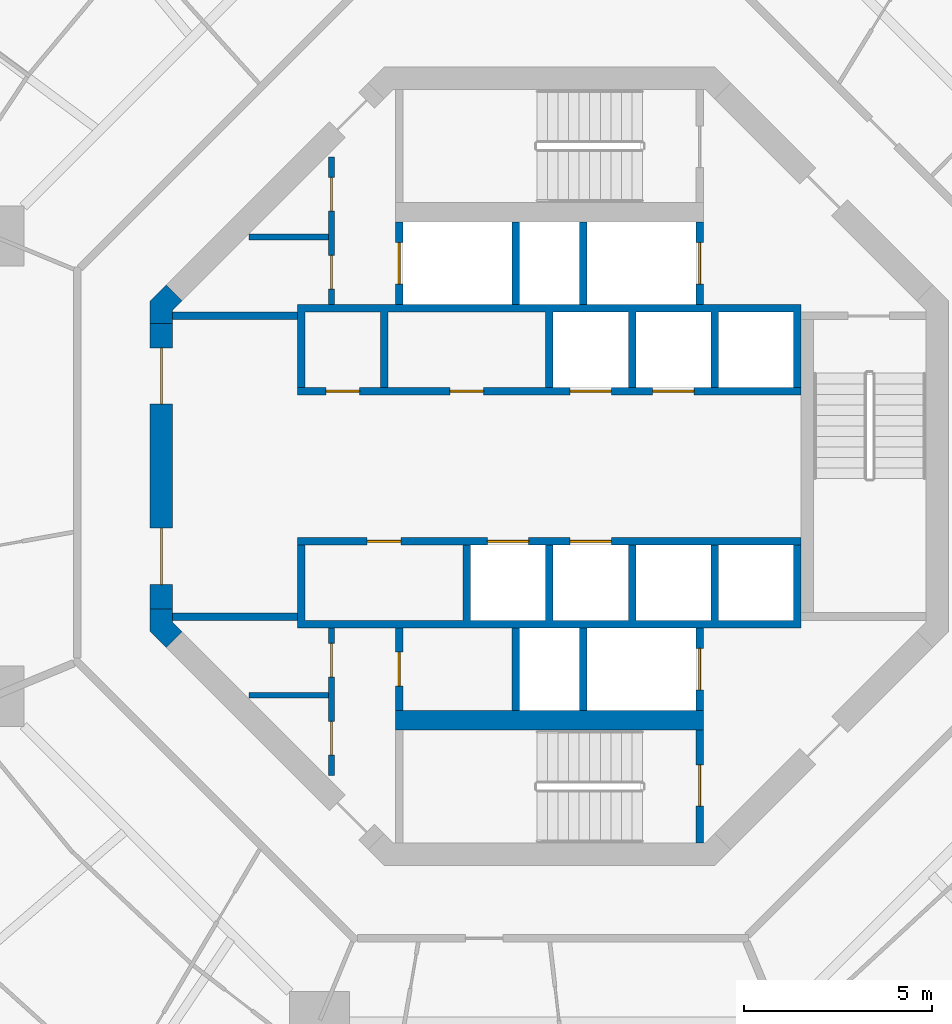
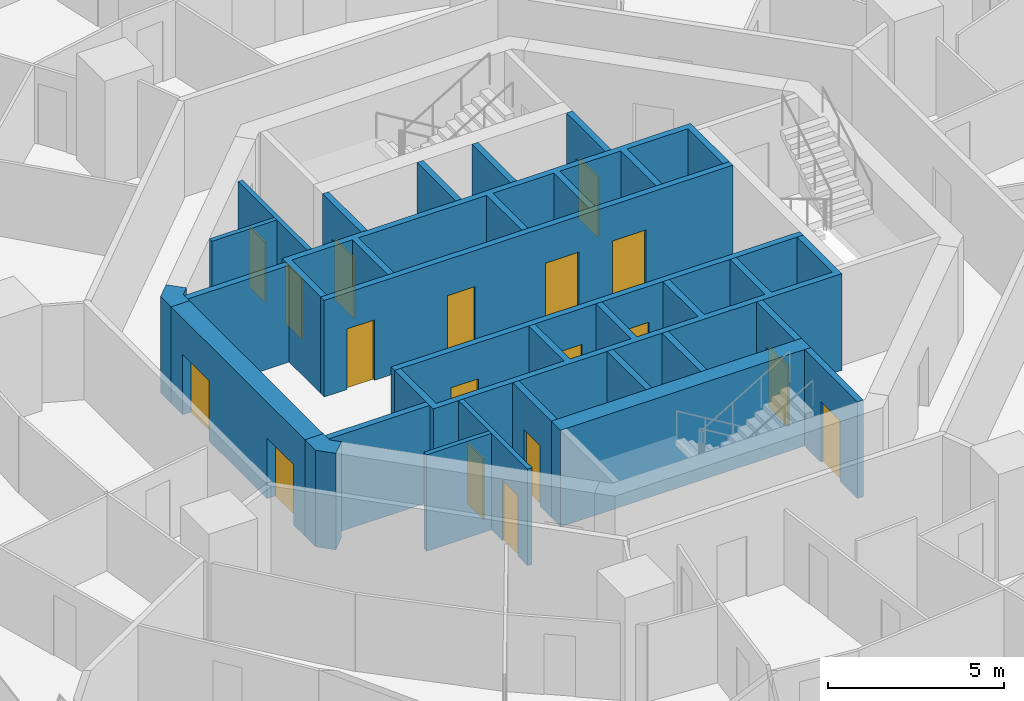
# One storey, part 11 of 18: 23 walls, 18 doors, 18 openings.
"""IFC4 building model written with IfcOpenShell, lengths in metres."""

from ifc_helpers import new_model, si_unit, direction, frame, frame_2d, origin, place, context, subcontext, project, spatial, polyline, rectangle, outline, extrude, material, layer, layer_set, type_object, element, fill, save


model = new_model("IFC4")

# Units and contexts
model_context = context("Model", 3, precision=1e-05, world=origin(), true_north=direction((0.0, 1.0)))
body_context = subcontext(model_context, "Body", "Model", "MODEL_VIEW")
ifc_project = project(units=[si_unit("LENGTHUNIT", "METRE"), si_unit("AREAUNIT", "SQUARE_METRE"), si_unit("VOLUMEUNIT", "CUBIC_METRE"), si_unit("PLANEANGLEUNIT", "RADIAN"), si_unit("MASSUNIT", "GRAM", prefix="KILO")], contexts=[model_context])

# Site, building, storey
site_placement = place(None, origin())
site = spatial("IfcSite", under=ifc_project, at=site_placement, CompositionType="ELEMENT")
building_placement = place(site_placement, origin())
building = spatial("IfcBuilding", under=site, at=building_placement, Name="Nagisa Residences", CompositionType="ELEMENT")
storey_placement = place(building_placement, frame((0.0, 0.0, 249.199951171875)))
storey = spatial("IfcBuildingStorey", under=building, at=storey_placement, Name="L63", CompositionType="ELEMENT", Elevation=249.199951171875)

# Wall, openings, doors
ifc_material_1 = material(Name="Gypsum board on steel studs", Category="steel")
ifc_layer_1 = layer(ifc_material_1, 0.14990234375)
ifc_layer_set_1 = layer_set([ifc_layer_1], Name="Core partition 150")
wall_type_1 = type_object("IfcWallType", Name="Core partition 150", PredefinedType="PARTITIONING", material=ifc_layer_set_1)
wall_1_placement = place(storey_placement, frame((-5.800048828125, 4.300048828125, 0.0), z_axis=(0.0, 0.0, 1.0), x_axis=(0.0, 1.0, 0.0)))
wall_1 = element("IfcWall", 1, at=wall_1_placement, inside=storey, type_object=wall_type_1, Name="wall:L63:NWp", PredefinedType="PARTITIONING", context=body_context, shape_type="SweptSolid", body=[
    extrude(rectangle(XDim=3.927001953125, YDim=0.14990234375, at=frame_2d((1.96337890625, 0.0))), origin(), (0.0, 0.0, 1.0), 3.35009765625),
])
opening_1_placement = place(wall_1_placement, frame((0.41259765625, 0.0, 0.0)))
opening_1 = element("IfcOpeningElement", 2, at=opening_1_placement, cuts=wall_1, Name="Opening L63-C11", PredefinedType="OPENING", context=body_context, shape_type="SweptSolid", body=[
    extrude(rectangle(XDim=0.89990234375, YDim=2.10009765625, at=frame_2d((0.449951171875, 1.050048828125))), frame((0.0, 0.0849609375, 0.0), z_axis=(0.0, -1.0, 0.0), x_axis=(1.0, 0.0, 0.0)), (0.0, 0.0, 1.0), 0.169921875),
])
opening_2_placement = place(wall_1_placement, frame((2.488525390625, 0.0, 0.0)))
opening_2 = element("IfcOpeningElement", 3, at=opening_2_placement, cuts=wall_1, Name="Opening L63-C12", PredefinedType="OPENING", context=body_context, shape_type="SweptSolid", body=[
    extrude(rectangle(XDim=0.89990234375, YDim=2.10009765625, at=frame_2d((0.449951171875, 1.050048828125))), frame((0.0, 0.0849609375, 0.0), z_axis=(0.0, -1.0, 0.0), x_axis=(1.0, 0.0, 0.0)), (0.0, 0.0, 1.0), 0.169921875),
])
ifc_material_2 = material(Name="Steel fire door", Category="steel")
door_type_1 = type_object("IfcDoorType", Name="Fire door EI30 900x2100 single swing", OperationType="NOTDEFINED", PredefinedType="DOOR", material=ifc_material_2)
door_1_placement = place(opening_1_placement, origin())
door_1 = element("IfcDoor", 4, at=door_1_placement, inside=storey, type_object=door_type_1, Name="Electrical room door L63", OperationType="SINGLE_SWING_RIGHT", OverallHeight=2.10009765625, OverallWidth=0.89990234375, PredefinedType="DOOR", context=body_context, shape_type="SweptSolid", body=[
    extrude(rectangle(XDim=0.89990234375, YDim=2.10009765625, at=frame_2d((0.449951171875, 1.050048828125))), frame((0.0, 0.02490234375, 0.0), z_axis=(0.0, -1.0, 0.0), x_axis=(1.0, 0.0, 0.0)), (0.0, 0.0, 1.0), 0.050048828125),
])
fill(opening_1, door_1)
door_2_placement = place(opening_2_placement, origin())
door_2 = element("IfcDoor", 5, at=door_2_placement, inside=storey, type_object=door_type_1, Name="Telecom room door L63", OperationType="SINGLE_SWING_RIGHT", OverallHeight=2.10009765625, OverallWidth=0.89990234375, PredefinedType="DOOR", context=body_context, shape_type="SweptSolid", body=[
    extrude(rectangle(XDim=0.89990234375, YDim=2.10009765625, at=frame_2d((0.449951171875, 1.050048828125))), frame((0.0, 0.02490234375, 0.0), z_axis=(0.0, -1.0, 0.0), x_axis=(1.0, 0.0, 0.0)), (0.0, 0.0, 1.0), 0.050048828125),
])
fill(opening_2, door_2)

wall_2_placement = place(storey_placement, frame((-5.800048828125, -8.22705078125, 0.0), z_axis=(0.0, 0.0, 1.0), x_axis=(0.0, 1.0, 0.0)))
wall_2 = element("IfcWall", 6, at=wall_2_placement, inside=storey, type_object=wall_type_1, Name="wall:L63:SWp", PredefinedType="PARTITIONING", context=body_context, shape_type="SweptSolid", body=[
    extrude(rectangle(XDim=3.927001953125, YDim=0.14990234375, at=frame_2d((1.96337890625, 0.0))), origin(), (0.0, 0.0, 1.0), 3.35009765625),
])
opening_3_placement = place(wall_2_placement, frame((2.614501953125, 0.0, 0.0)))
opening_3 = element("IfcOpeningElement", 7, at=opening_3_placement, cuts=wall_2, Name="Opening L63-C13", PredefinedType="OPENING", context=body_context, shape_type="SweptSolid", body=[
    extrude(rectangle(XDim=0.89990234375, YDim=2.10009765625, at=frame_2d((0.449951171875, 1.050048828125))), frame((0.0, 0.0849609375, 0.0), z_axis=(0.0, -1.0, 0.0), x_axis=(1.0, 0.0, 0.0)), (0.0, 0.0, 1.0), 0.169921875),
])
opening_4_placement = place(wall_2_placement, frame((0.53857421875, 0.0, 0.0)))
opening_4 = element("IfcOpeningElement", 8, at=opening_4_placement, cuts=wall_2, Name="Opening L63-C14", PredefinedType="OPENING", context=body_context, shape_type="SweptSolid", body=[
    extrude(rectangle(XDim=0.89990234375, YDim=2.10009765625, at=frame_2d((0.449951171875, 1.050048828125))), frame((0.0, 0.0849609375, 0.0), z_axis=(0.0, -1.0, 0.0), x_axis=(1.0, 0.0, 0.0)), (0.0, 0.0, 1.0), 0.169921875),
])
door_3_placement = place(opening_3_placement, origin())
door_3 = element("IfcDoor", 9, at=door_3_placement, inside=storey, type_object=door_type_1, Name="Refuse room door L63", OperationType="SINGLE_SWING_RIGHT", OverallHeight=2.10009765625, OverallWidth=0.89990234375, PredefinedType="DOOR", context=body_context, shape_type="SweptSolid", body=[
    extrude(rectangle(XDim=0.89990234375, YDim=2.10009765625, at=frame_2d((0.449951171875, 1.050048828125))), frame((0.0, 0.02490234375, 0.0), z_axis=(0.0, -1.0, 0.0), x_axis=(1.0, 0.0, 0.0)), (0.0, 0.0, 1.0), 0.050048828125),
])
fill(opening_3, door_3)
door_4_placement = place(opening_4_placement, origin())
door_4 = element("IfcDoor", 10, at=door_4_placement, inside=storey, type_object=door_type_1, Name="Hose reel room door L63", OperationType="SINGLE_SWING_RIGHT", OverallHeight=2.10009765625, OverallWidth=0.89990234375, PredefinedType="DOOR", context=body_context, shape_type="SweptSolid", body=[
    extrude(rectangle(XDim=0.89990234375, YDim=2.10009765625, at=frame_2d((0.449951171875, 1.050048828125))), frame((0.0, 0.02490234375, 0.0), z_axis=(0.0, -1.0, 0.0), x_axis=(1.0, 0.0, 0.0)), (0.0, 0.0, 1.0), 0.050048828125),
])
fill(opening_4, door_4)

# Walls
for number, where, z_axis, x_axis, name in (
    (11, (-8.0009765625, -6.10009765625, 0.0), (0.0, 0.0, 1.0), (1.0, 0.0, 0.0), "wall:L63:SWq"),
    (12, (-8.0009765625, 6.10009765625, 0.0), (0.0, 0.0, 1.0), (1.0, 0.0, 0.0), "wall:L63:NWq"),
):
    element("IfcWall", number, at=place(storey_placement, frame(where, z_axis=z_axis, x_axis=x_axis)), inside=storey, type_object=wall_type_1, Name=name, PredefinedType="PARTITIONING", context=body_context, shape_type="SweptSolid", body=[
        extrude(rectangle(XDim=2.1259765625, YDim=0.14990234375, at=frame_2d((1.06298828125, 0.0))), origin(), (0.0, 0.0, 1.0), 3.35009765625),
    ])
ifc_material_3 = material(Name="Gypsum board on steel studs", Category="steel")
ifc_layer_2 = layer(ifc_material_3, 0.199951171875)
ifc_layer_set_2 = layer_set([ifc_layer_2], Name="Core partition 200")
wall_type_2 = type_object("IfcWallType", Name="Core partition 200", PredefinedType="PARTITIONING", material=ifc_layer_set_2)
for number, where, z_axis, x_axis, name in (
    (13, (-10.024658203125, -4.0, 0.0), (0.0, 0.0, 1.0), (1.0, 0.0, 0.0), "wall:L63:PSW"),
    (14, (-10.024658203125, 4.0, 0.0), (0.0, 0.0, 1.0), (1.0, 0.0, 0.0), "wall:L63:PNW"),
):
    element("IfcWall", number, at=place(storey_placement, frame(where, z_axis=z_axis, x_axis=x_axis)), inside=storey, type_object=wall_type_2, Name=name, PredefinedType="PARTITIONING", context=body_context, shape_type="SweptSolid", body=[
        extrude(rectangle(XDim=3.32470703125, YDim=0.199951171875, at=frame_2d((1.662353515625, 0.0))), origin(), (0.0, 0.0, 1.0), 3.35009765625),
    ])

# Wall, openings, doors
ifc_material_4 = material(Name="Concrete C60", Category="concrete")
ifc_layer_3 = layer(ifc_material_4, 0.60009765625)
ifc_layer_set_3 = layer_set([ifc_layer_3], Name="Core shear wall 600")
wall_type_3 = type_object("IfcWallType", Name="Core shear wall 600", PredefinedType="SHEAR", material=ifc_layer_set_3)
wall_3_placement = place(storey_placement, frame((-10.32470703125, 3.80078125, 0.0), z_axis=(0.0, 0.0, 1.0), x_axis=(0.0, -1.0, 0.0)))
wall_3 = element("IfcWall", 15, at=wall_3_placement, inside=storey, type_object=wall_type_3, Name="wall:L63:core:flat4", PredefinedType="SHEAR", context=body_context, shape_type="SweptSolid", body=[
    extrude(rectangle(XDim=7.6015625, YDim=0.60009765625, at=frame_2d((3.80078125, 0.0))), origin(), (0.0, 0.0, 1.0), 3.35009765625),
])
opening_5_placement = place(wall_3_placement, frame((0.65087890625, 0.0, 0.0)))
opening_5 = element("IfcOpeningElement", 16, at=opening_5_placement, cuts=wall_3, Name="Opening L63-C21", PredefinedType="OPENING", context=body_context, shape_type="SweptSolid", body=[
    extrude(rectangle(XDim=1.5, YDim=2.10009765625, at=frame_2d((0.75, 1.050048828125))), frame((0.0, 0.31005859375, 0.0), z_axis=(0.0, -1.0, 0.0), x_axis=(1.0, 0.0, 0.0)), (0.0, 0.0, 1.0), 0.6201171875),
])
opening_6_placement = place(wall_3_placement, frame((5.450927734375, 0.0, 0.0)))
opening_6 = element("IfcOpeningElement", 17, at=opening_6_placement, cuts=wall_3, Name="Opening L63-C22", PredefinedType="OPENING", context=body_context, shape_type="SweptSolid", body=[
    extrude(rectangle(XDim=1.5, YDim=2.10009765625, at=frame_2d((0.75, 1.050048828125))), frame((0.0, 0.31005859375, 0.0), z_axis=(0.0, -1.0, 0.0), x_axis=(1.0, 0.0, 0.0)), (0.0, 0.0, 1.0), 0.6201171875),
])
ifc_material_5 = material(Name="Steel fire door", Category="steel")
door_type_2 = type_object("IfcDoorType", Name="Fire door EI60 1500x2100 double door single swing", OperationType="DOUBLE_DOOR_SINGLE_SWING", PredefinedType="DOOR", material=ifc_material_5)
door_5_placement = place(opening_5_placement, origin())
door_5 = element("IfcDoor", 18, at=door_5_placement, inside=storey, type_object=door_type_2, Name="Lift lobby door L63 1", OperationType="DOUBLE_DOOR_SINGLE_SWING", OverallHeight=2.10009765625, OverallWidth=1.5, PredefinedType="DOOR", context=body_context, shape_type="SweptSolid", body=[
    extrude(rectangle(XDim=1.5, YDim=2.10009765625, at=frame_2d((0.75, 1.050048828125))), frame((0.0, 0.02490234375, 0.0), z_axis=(0.0, -1.0, 0.0), x_axis=(1.0, 0.0, 0.0)), (0.0, 0.0, 1.0), 0.050048828125),
])
fill(opening_5, door_5)
door_6_placement = place(opening_6_placement, origin())
door_6 = element("IfcDoor", 19, at=door_6_placement, inside=storey, type_object=door_type_2, Name="Lift lobby door L63 2", OperationType="DOUBLE_DOOR_SINGLE_SWING", OverallHeight=2.10009765625, OverallWidth=1.5, PredefinedType="DOOR", context=body_context, shape_type="SweptSolid", body=[
    extrude(rectangle(XDim=1.5, YDim=2.10009765625, at=frame_2d((0.75, 1.050048828125))), frame((0.0, 0.02490234375, 0.0), z_axis=(0.0, -1.0, 0.0), x_axis=(1.0, 0.0, 0.0)), (0.0, 0.0, 1.0), 0.050048828125),
])
fill(opening_6, door_6)

# Walls
wall_4_placement = place(storey_placement, origin())
element("IfcWall", 20, at=wall_4_placement, inside=storey, type_object=wall_type_3, Name="wall:L63:core:pier4", PredefinedType="SHEAR", context=body_context, shape_type="SweptSolid", body=[
    extrude(outline(polyline([(-10.62451171875, -3.80078125), (-10.024658203125, -3.80078125), (-10.024658203125, -4.15234375), (-9.776123046875, -4.40087890625), (-10.200439453125, -4.8251953125), (-10.62451171875, -4.40087890625), (-10.62451171875, -3.80078125)])), origin(), (0.0, 0.0, 1.0), 3.35009765625),
])
wall_5_placement = place(storey_placement, origin())
element("IfcWall", 21, at=wall_5_placement, inside=storey, type_object=wall_type_3, Name="wall:L63:core:pier3", PredefinedType="SHEAR", context=body_context, shape_type="SweptSolid", body=[
    extrude(outline(polyline([(-10.200439453125, 4.8251953125), (-9.776123046875, 4.40087890625), (-10.024658203125, 4.15234375), (-10.024658203125, 3.80078125), (-10.62451171875, 3.80078125), (-10.62451171875, 4.40087890625), (-10.200439453125, 4.8251953125)])), origin(), (0.0, 0.0, 1.0), 3.35009765625),
])

# Wall, opening, door
ifc_material_6 = material(Name="Concrete C60", Category="concrete")
ifc_layer_4 = layer(ifc_material_6, 0.199951171875)
ifc_layer_set_4 = layer_set([ifc_layer_4], Name="Lift shaft wall 200")
wall_type_4 = type_object("IfcWallType", Name="Lift shaft wall 200", PredefinedType="SOLIDWALL", material=ifc_layer_set_4)
wall_6_placement = place(storey_placement, frame((4.0, 4.300048828125, 0.0), z_axis=(0.0, 0.0, 1.0), x_axis=(0.0, 1.0, 0.0)))
wall_6 = element("IfcWall", 22, at=wall_6_placement, inside=storey, type_object=wall_type_4, Name="wall:L63:Nb3", PredefinedType="SOLIDWALL", context=body_context, shape_type="SweptSolid", body=[
    extrude(rectangle(XDim=2.199951171875, YDim=0.199951171875, at=frame_2d((1.10009765625, 0.0))), origin(), (0.0, 0.0, 1.0), 3.35009765625),
])
opening_7_placement = place(wall_6_placement, frame((0.550048828125, 0.0, 0.0)))
opening_7 = element("IfcOpeningElement", 23, at=opening_7_placement, cuts=wall_6, Name="Opening L63-C05", PredefinedType="OPENING", context=body_context, shape_type="SweptSolid", body=[
    extrude(rectangle(XDim=1.10009765625, YDim=2.10009765625, at=frame_2d((0.550048828125, 1.050048828125))), frame((0.0, 0.10986328125, 0.0), z_axis=(0.0, -1.0, 0.0), x_axis=(1.0, 0.0, 0.0)), (0.0, 0.0, 1.0), 0.219970703125),
])
ifc_material_7 = material(Name="Stainless steel", Category="steel")
door_type_3 = type_object("IfcDoorType", Name="Lift landing door 1100x2100", OperationType="DOUBLE_DOOR_SLIDING", PredefinedType="DOOR", material=ifc_material_7)
door_7_placement = place(opening_7_placement, origin())
door_7 = element("IfcDoor", 24, at=door_7_placement, inside=storey, type_object=door_type_3, Name="Landing door FL1 L63", OperationType="DOUBLE_DOOR_SLIDING", OverallHeight=2.10009765625, OverallWidth=1.10009765625, PredefinedType="DOOR", context=body_context, shape_type="SweptSolid", body=[
    extrude(rectangle(XDim=1.10009765625, YDim=2.10009765625, at=frame_2d((0.550048828125, 1.050048828125))), frame((0.0, 0.02490234375, 0.0), z_axis=(0.0, -1.0, 0.0), x_axis=(1.0, 0.0, 0.0)), (0.0, 0.0, 1.0), 0.050048828125),
])
fill(opening_7, door_7)

wall_7_placement = place(storey_placement, frame((-4.0, 4.300048828125, 0.0), z_axis=(0.0, 0.0, 1.0), x_axis=(0.0, 1.0, 0.0)))
wall_7 = element("IfcWall", 25, at=wall_7_placement, inside=storey, type_object=wall_type_4, Name="wall:L63:Nb4", PredefinedType="SOLIDWALL", context=body_context, shape_type="SweptSolid", body=[
    extrude(rectangle(XDim=2.199951171875, YDim=0.199951171875, at=frame_2d((1.10009765625, 0.0))), origin(), (0.0, 0.0, 1.0), 3.35009765625),
])
opening_8_placement = place(wall_7_placement, frame((0.550048828125, 0.0, 0.0)))
opening_8 = element("IfcOpeningElement", 26, at=opening_8_placement, cuts=wall_7, Name="Opening L63-C07", PredefinedType="OPENING", context=body_context, shape_type="SweptSolid", body=[
    extrude(rectangle(XDim=1.10009765625, YDim=2.10009765625, at=frame_2d((0.550048828125, 1.050048828125))), frame((0.0, 0.10986328125, 0.0), z_axis=(0.0, -1.0, 0.0), x_axis=(1.0, 0.0, 0.0)), (0.0, 0.0, 1.0), 0.219970703125),
])
door_8_placement = place(opening_8_placement, origin())
door_8 = element("IfcDoor", 27, at=door_8_placement, inside=storey, type_object=door_type_3, Name="Landing door SV L63", OperationType="DOUBLE_DOOR_SLIDING", OverallHeight=2.10009765625, OverallWidth=1.10009765625, PredefinedType="DOOR", context=body_context, shape_type="SweptSolid", body=[
    extrude(rectangle(XDim=1.10009765625, YDim=2.10009765625, at=frame_2d((0.550048828125, 1.050048828125))), frame((0.0, 0.02490234375, 0.0), z_axis=(0.0, -1.0, 0.0), x_axis=(1.0, 0.0, 0.0)), (0.0, 0.0, 1.0), 0.050048828125),
])
fill(opening_8, door_8)

# Wall, openings, doors
wall_8_placement = place(storey_placement, frame((-6.699951171875, 2.0, 0.0), z_axis=(0.0, 0.0, 1.0), x_axis=(1.0, 0.0, 0.0)))
wall_8 = element("IfcWall", 28, at=wall_8_placement, inside=storey, type_object=wall_type_4, Name="wall:L63:Nfront", PredefinedType="SOLIDWALL", context=body_context, shape_type="SweptSolid", body=[
    extrude(rectangle(XDim=13.39990234375, YDim=0.199951171875, at=frame_2d((6.699951171875, 0.0))), origin(), (0.0, 0.0, 1.0), 3.35009765625),
])
opening_9_placement = place(wall_8_placement, frame((7.25, 0.0, 0.0)))
opening_9 = element("IfcOpeningElement", 29, at=opening_9_placement, cuts=wall_8, Name="Opening L63-C01", PredefinedType="OPENING", context=body_context, shape_type="SweptSolid", body=[
    extrude(rectangle(XDim=1.10009765625, YDim=2.10009765625, at=frame_2d((0.550048828125, 1.050048828125))), frame((0.0, 0.10986328125, 0.0), z_axis=(0.0, -1.0, 0.0), x_axis=(1.0, 0.0, 0.0)), (0.0, 0.0, 1.0), 0.219970703125),
])
opening_10_placement = place(wall_8_placement, frame((9.449951171875, 0.0, 0.0)))
opening_10 = element("IfcOpeningElement", 30, at=opening_10_placement, cuts=wall_8, Name="Opening L63-C02", PredefinedType="OPENING", context=body_context, shape_type="SweptSolid", body=[
    extrude(rectangle(XDim=1.10009765625, YDim=2.10009765625, at=frame_2d((0.550048828125, 1.050048828125))), frame((0.0, 0.10986328125, 0.0), z_axis=(0.0, -1.0, 0.0), x_axis=(1.0, 0.0, 0.0)), (0.0, 0.0, 1.0), 0.219970703125),
])
opening_11_placement = place(wall_8_placement, frame((0.75, 0.0, 0.0)))
opening_11 = element("IfcOpeningElement", 31, at=opening_11_placement, cuts=wall_8, Name="Opening L63-C16", PredefinedType="OPENING", context=body_context, shape_type="SweptSolid", body=[
    extrude(rectangle(XDim=0.89990234375, YDim=2.10009765625, at=frame_2d((0.449951171875, 1.050048828125))), frame((0.0, 0.10986328125, 0.0), z_axis=(0.0, -1.0, 0.0), x_axis=(1.0, 0.0, 0.0)), (0.0, 0.0, 1.0), 0.219970703125),
])
opening_12_placement = place(wall_8_placement, frame((4.050048828125, 0.0, 0.0)))
opening_12 = element("IfcOpeningElement", 32, at=opening_12_placement, cuts=wall_8, Name="Opening L63-C17", PredefinedType="OPENING", context=body_context, shape_type="SweptSolid", body=[
    extrude(rectangle(XDim=0.89990234375, YDim=2.10009765625, at=frame_2d((0.449951171875, 1.050048828125))), frame((0.0, 0.10986328125, 0.0), z_axis=(0.0, -1.0, 0.0), x_axis=(1.0, 0.0, 0.0)), (0.0, 0.0, 1.0), 0.219970703125),
])
door_9_placement = place(opening_11_placement, origin())
door_9 = element("IfcDoor", 33, at=door_9_placement, inside=storey, type_object=door_type_1, Name="Package room door L63", OperationType="SINGLE_SWING_LEFT", OverallHeight=2.10009765625, OverallWidth=0.89990234375, PredefinedType="DOOR", context=body_context, shape_type="SweptSolid", body=[
    extrude(rectangle(XDim=0.89990234375, YDim=2.10009765625, at=frame_2d((0.449951171875, 1.050048828125))), frame((0.0, 0.02490234375, 0.0), z_axis=(0.0, -1.0, 0.0), x_axis=(1.0, 0.0, 0.0)), (0.0, 0.0, 1.0), 0.050048828125),
])
fill(opening_11, door_9)
door_10_placement = place(opening_12_placement, origin())
door_10 = element("IfcDoor", 34, at=door_10_placement, inside=storey, type_object=door_type_1, Name="Linen store door L63", OperationType="SINGLE_SWING_LEFT", OverallHeight=2.10009765625, OverallWidth=0.89990234375, PredefinedType="DOOR", context=body_context, shape_type="SweptSolid", body=[
    extrude(rectangle(XDim=0.89990234375, YDim=2.10009765625, at=frame_2d((0.449951171875, 1.050048828125))), frame((0.0, 0.02490234375, 0.0), z_axis=(0.0, -1.0, 0.0), x_axis=(1.0, 0.0, 0.0)), (0.0, 0.0, 1.0), 0.050048828125),
])
fill(opening_12, door_10)
door_11_placement = place(opening_9_placement, origin())
door_11 = element("IfcDoor", 35, at=door_11_placement, inside=storey, type_object=door_type_3, Name="Landing door B1 L63", OperationType="DOUBLE_DOOR_SLIDING", OverallHeight=2.10009765625, OverallWidth=1.10009765625, PredefinedType="DOOR", context=body_context, shape_type="SweptSolid", body=[
    extrude(rectangle(XDim=1.10009765625, YDim=2.10009765625, at=frame_2d((0.550048828125, 1.050048828125))), frame((0.0, 0.02490234375, 0.0), z_axis=(0.0, -1.0, 0.0), x_axis=(1.0, 0.0, 0.0)), (0.0, 0.0, 1.0), 0.050048828125),
])
fill(opening_9, door_11)
door_12_placement = place(opening_10_placement, origin())
door_12 = element("IfcDoor", 36, at=door_12_placement, inside=storey, type_object=door_type_3, Name="Landing door B2 L63", OperationType="DOUBLE_DOOR_SLIDING", OverallHeight=2.10009765625, OverallWidth=1.10009765625, PredefinedType="DOOR", context=body_context, shape_type="SweptSolid", body=[
    extrude(rectangle(XDim=1.10009765625, YDim=2.10009765625, at=frame_2d((0.550048828125, 1.050048828125))), frame((0.0, 0.02490234375, 0.0), z_axis=(0.0, -1.0, 0.0), x_axis=(1.0, 0.0, 0.0)), (0.0, 0.0, 1.0), 0.050048828125),
])
fill(opening_10, door_12)

# Wall, opening, door
wall_9_placement = place(storey_placement, frame((4.0, -6.5, 0.0), z_axis=(0.0, 0.0, 1.0), x_axis=(0.0, 1.0, 0.0)))
wall_9 = element("IfcWall", 37, at=wall_9_placement, inside=storey, type_object=wall_type_4, Name="wall:L63:Sb3", PredefinedType="SOLIDWALL", context=body_context, shape_type="SweptSolid", body=[
    extrude(rectangle(XDim=2.199951171875, YDim=0.199951171875, at=frame_2d((1.10009765625, 0.0))), origin(), (0.0, 0.0, 1.0), 3.35009765625),
])
opening_13_placement = place(wall_9_placement, frame((0.550048828125, 0.0, 0.0)))
opening_13 = element("IfcOpeningElement", 38, at=opening_13_placement, cuts=wall_9, Name="Opening L63-C06", PredefinedType="OPENING", context=body_context, shape_type="SweptSolid", body=[
    extrude(rectangle(XDim=1.10009765625, YDim=2.10009765625, at=frame_2d((0.550048828125, 1.050048828125))), frame((0.0, 0.10986328125, 0.0), z_axis=(0.0, -1.0, 0.0), x_axis=(1.0, 0.0, 0.0)), (0.0, 0.0, 1.0), 0.219970703125),
])
door_13_placement = place(opening_13_placement, origin())
door_13 = element("IfcDoor", 39, at=door_13_placement, inside=storey, type_object=door_type_3, Name="Landing door FL2 L63", OperationType="DOUBLE_DOOR_SLIDING", OverallHeight=2.10009765625, OverallWidth=1.10009765625, PredefinedType="DOOR", context=body_context, shape_type="SweptSolid", body=[
    extrude(rectangle(XDim=1.10009765625, YDim=2.10009765625, at=frame_2d((0.550048828125, 1.050048828125))), frame((0.0, 0.02490234375, 0.0), z_axis=(0.0, -1.0, 0.0), x_axis=(1.0, 0.0, 0.0)), (0.0, 0.0, 1.0), 0.050048828125),
])
fill(opening_13, door_13)

wall_10_placement = place(storey_placement, frame((-4.0, -6.5, 0.0), z_axis=(0.0, 0.0, 1.0), x_axis=(0.0, 1.0, 0.0)))
wall_10 = element("IfcWall", 40, at=wall_10_placement, inside=storey, type_object=wall_type_4, Name="wall:L63:Sb4", PredefinedType="SOLIDWALL", context=body_context, shape_type="SweptSolid", body=[
    extrude(rectangle(XDim=2.199951171875, YDim=0.199951171875, at=frame_2d((1.10009765625, 0.0))), origin(), (0.0, 0.0, 1.0), 3.35009765625),
])
opening_14_placement = place(wall_10_placement, frame((0.64990234375, 0.0, 0.0)))
opening_14 = element("IfcOpeningElement", 41, at=opening_14_placement, cuts=wall_10, Name="Opening L63-C15", PredefinedType="OPENING", context=body_context, shape_type="SweptSolid", body=[
    extrude(rectangle(XDim=0.89990234375, YDim=2.10009765625, at=frame_2d((0.449951171875, 1.050048828125))), frame((0.0, 0.10986328125, 0.0), z_axis=(0.0, -1.0, 0.0), x_axis=(1.0, 0.0, 0.0)), (0.0, 0.0, 1.0), 0.219970703125),
])
door_14_placement = place(opening_14_placement, frame((0.89990234375, 0.0, 0.0), x_axis=(-1.0, 0.0, 0.0)))
door_14 = element("IfcDoor", 42, at=door_14_placement, inside=storey, type_object=door_type_1, Name="Refuse room door L63", OperationType="SINGLE_SWING_RIGHT", OverallHeight=2.10009765625, OverallWidth=0.89990234375, PredefinedType="DOOR", context=body_context, shape_type="SweptSolid", body=[
    extrude(rectangle(XDim=0.89990234375, YDim=2.10009765625, at=frame_2d((0.449951171875, 1.050048828125))), frame((0.0, 0.02490234375, 0.0), z_axis=(0.0, -1.0, 0.0), x_axis=(1.0, 0.0, 0.0)), (0.0, 0.0, 1.0), 0.050048828125),
])
fill(opening_14, door_14)

# Wall, openings, doors
wall_11_placement = place(storey_placement, frame((-6.699951171875, -2.0, 0.0), z_axis=(0.0, 0.0, 1.0), x_axis=(1.0, 0.0, 0.0)))
wall_11 = element("IfcWall", 43, at=wall_11_placement, inside=storey, type_object=wall_type_4, Name="wall:L63:Sfront", PredefinedType="SOLIDWALL", context=body_context, shape_type="SweptSolid", body=[
    extrude(rectangle(XDim=13.39990234375, YDim=0.199951171875, at=frame_2d((6.699951171875, 0.0))), origin(), (0.0, 0.0, 1.0), 3.35009765625),
])
opening_15_placement = place(wall_11_placement, frame((5.050048828125, 0.0, 0.0)))
opening_15 = element("IfcOpeningElement", 44, at=opening_15_placement, cuts=wall_11, Name="Opening L63-C03", PredefinedType="OPENING", context=body_context, shape_type="SweptSolid", body=[
    extrude(rectangle(XDim=1.10009765625, YDim=2.10009765625, at=frame_2d((0.550048828125, 1.050048828125))), frame((0.0, 0.10986328125, 0.0), z_axis=(0.0, -1.0, 0.0), x_axis=(1.0, 0.0, 0.0)), (0.0, 0.0, 1.0), 0.219970703125),
])
opening_16_placement = place(wall_11_placement, frame((7.25, 0.0, 0.0)))
opening_16 = element("IfcOpeningElement", 45, at=opening_16_placement, cuts=wall_11, Name="Opening L63-C04", PredefinedType="OPENING", context=body_context, shape_type="SweptSolid", body=[
    extrude(rectangle(XDim=1.10009765625, YDim=2.10009765625, at=frame_2d((0.550048828125, 1.050048828125))), frame((0.0, 0.10986328125, 0.0), z_axis=(0.0, -1.0, 0.0), x_axis=(1.0, 0.0, 0.0)), (0.0, 0.0, 1.0), 0.219970703125),
])
opening_17_placement = place(wall_11_placement, frame((1.85009765625, 0.0, 0.0)))
opening_17 = element("IfcOpeningElement", 46, at=opening_17_placement, cuts=wall_11, Name="Opening L63-C18", PredefinedType="OPENING", context=body_context, shape_type="SweptSolid", body=[
    extrude(rectangle(XDim=0.89990234375, YDim=2.10009765625, at=frame_2d((0.449951171875, 1.050048828125))), frame((0.0, 0.10986328125, 0.0), z_axis=(0.0, -1.0, 0.0), x_axis=(1.0, 0.0, 0.0)), (0.0, 0.0, 1.0), 0.219970703125),
])
door_15_placement = place(opening_17_placement, frame((0.89990234375, 0.0, 0.0), x_axis=(-1.0, 0.0, 0.0)))
door_15 = element("IfcDoor", 47, at=door_15_placement, inside=storey, type_object=door_type_1, Name="Tea preparation door L63", OperationType="SINGLE_SWING_RIGHT", OverallHeight=2.10009765625, OverallWidth=0.89990234375, PredefinedType="DOOR", context=body_context, shape_type="SweptSolid", body=[
    extrude(rectangle(XDim=0.89990234375, YDim=2.10009765625, at=frame_2d((0.449951171875, 1.050048828125))), frame((0.0, 0.02490234375, 0.0), z_axis=(0.0, -1.0, 0.0), x_axis=(1.0, 0.0, 0.0)), (0.0, 0.0, 1.0), 0.050048828125),
])
fill(opening_17, door_15)
door_16_placement = place(opening_15_placement, origin())
door_16 = element("IfcDoor", 48, at=door_16_placement, inside=storey, type_object=door_type_3, Name="Landing door B3 L63", OperationType="DOUBLE_DOOR_SLIDING", OverallHeight=2.10009765625, OverallWidth=1.10009765625, PredefinedType="DOOR", context=body_context, shape_type="SweptSolid", body=[
    extrude(rectangle(XDim=1.10009765625, YDim=2.10009765625, at=frame_2d((0.550048828125, 1.050048828125))), frame((0.0, 0.02490234375, 0.0), z_axis=(0.0, -1.0, 0.0), x_axis=(1.0, 0.0, 0.0)), (0.0, 0.0, 1.0), 0.050048828125),
])
fill(opening_15, door_16)
door_17_placement = place(opening_16_placement, origin())
door_17 = element("IfcDoor", 49, at=door_17_placement, inside=storey, type_object=door_type_3, Name="Landing door B4 L63", OperationType="DOUBLE_DOOR_SLIDING", OverallHeight=2.10009765625, OverallWidth=1.10009765625, PredefinedType="DOOR", context=body_context, shape_type="SweptSolid", body=[
    extrude(rectangle(XDim=1.10009765625, YDim=2.10009765625, at=frame_2d((0.550048828125, 1.050048828125))), frame((0.0, 0.02490234375, 0.0), z_axis=(0.0, -1.0, 0.0), x_axis=(1.0, 0.0, 0.0)), (0.0, 0.0, 1.0), 0.050048828125),
])
fill(opening_16, door_17)

# Walls
for number, where, z_axis, x_axis, name in (
    (50, (-0.89990234375, 4.300048828125, 0.0), (0.0, 0.0, 1.0), (0.0, 1.0, 0.0), "wall:L63:Nb1"),
    (51, (0.89990234375, 4.300048828125, 0.0), (0.0, 0.0, 1.0), (0.0, 1.0, 0.0), "wall:L63:Nb2"),
):
    element("IfcWall", number, at=place(storey_placement, frame(where, z_axis=z_axis, x_axis=x_axis)), inside=storey, type_object=wall_type_4, Name=name, PredefinedType="SOLIDWALL", context=body_context, shape_type="SweptSolid", body=[
        extrude(rectangle(XDim=2.199951171875, YDim=0.199951171875, at=frame_2d((1.10009765625, 0.0))), origin(), (0.0, 0.0, 1.0), 3.35009765625),
    ])
wall_12_placement = place(storey_placement, origin())
element("IfcWall", 52, at=wall_12_placement, inside=storey, type_object=wall_type_4, Name="wall:L63:Nback", PredefinedType="SOLIDWALL", context=body_context, shape_type="SweptSolid", body=[
    extrude(outline(polyline([(-6.699951171875, 4.300048828125), (6.699951171875, 4.300048828125), (6.699951171875, 2.10009765625), (6.5, 2.10009765625), (6.5, 4.10009765625), (4.5, 4.10009765625), (4.5, 2.10009765625), (4.300048828125, 2.10009765625), (4.300048828125, 4.10009765625), (2.300048828125, 4.10009765625), (2.300048828125, 2.10009765625), (2.10009765625, 2.10009765625), (2.10009765625, 4.10009765625), (0.10009765625, 4.10009765625), (0.10009765625, 2.10009765625), (-0.10009765625, 2.10009765625), (-0.10009765625, 4.10009765625), (-4.300048828125, 4.10009765625), (-4.300048828125, 2.10009765625), (-4.5, 2.10009765625), (-4.5, 4.10009765625), (-6.5, 4.10009765625), (-6.5, 2.10009765625), (-6.699951171875, 2.10009765625), (-6.699951171875, 4.300048828125)])), origin(), (0.0, 0.0, 1.0), 3.35009765625),
])
for number, where, z_axis, x_axis, name in (
    (53, (-0.89990234375, -6.5, 0.0), (0.0, 0.0, 1.0), (0.0, 1.0, 0.0), "wall:L63:Sb1"),
    (54, (0.89990234375, -6.5, 0.0), (0.0, 0.0, 1.0), (0.0, 1.0, 0.0), "wall:L63:Sb2"),
):
    element("IfcWall", number, at=place(storey_placement, frame(where, z_axis=z_axis, x_axis=x_axis)), inside=storey, type_object=wall_type_4, Name=name, PredefinedType="SOLIDWALL", context=body_context, shape_type="SweptSolid", body=[
        extrude(rectangle(XDim=2.199951171875, YDim=0.199951171875, at=frame_2d((1.10009765625, 0.0))), origin(), (0.0, 0.0, 1.0), 3.35009765625),
    ])
wall_13_placement = place(storey_placement, origin())
element("IfcWall", 55, at=wall_13_placement, inside=storey, type_object=wall_type_4, Name="wall:L63:Sback", PredefinedType="SOLIDWALL", context=body_context, shape_type="SweptSolid", body=[
    extrude(outline(polyline([(-6.699951171875, -2.10009765625), (-6.5, -2.10009765625), (-6.5, -4.10009765625), (-2.300048828125, -4.10009765625), (-2.300048828125, -2.10009765625), (-2.10009765625, -2.10009765625), (-2.10009765625, -4.10009765625), (-0.10009765625, -4.10009765625), (-0.10009765625, -2.10009765625), (0.10009765625, -2.10009765625), (0.10009765625, -4.10009765625), (2.10009765625, -4.10009765625), (2.10009765625, -2.10009765625), (2.300048828125, -2.10009765625), (2.300048828125, -4.10009765625), (4.300048828125, -4.10009765625), (4.300048828125, -2.10009765625), (4.5, -2.10009765625), (4.5, -4.10009765625), (6.5, -4.10009765625), (6.5, -2.10009765625), (6.699951171875, -2.10009765625), (6.699951171875, -4.300048828125), (-6.699951171875, -4.300048828125), (-6.699951171875, -2.10009765625)])), origin(), (0.0, 0.0, 1.0), 3.35009765625),
])

# Wall, opening, door
ifc_material_8 = material(Name="Concrete C60", Category="concrete")
ifc_layer_5 = layer(ifc_material_8, 0.199951171875)
ifc_layer_set_5 = layer_set([ifc_layer_5], Name="Stair enclosure wall 200")
wall_type_5 = type_object("IfcWallType", Name="Stair enclosure wall 200", PredefinedType="SOLIDWALL", material=ifc_layer_set_5)
wall_14_placement = place(storey_placement, frame((4.0, -10.024658203125, 0.0), z_axis=(0.0, 0.0, 1.0), x_axis=(0.0, 1.0, 0.0)))
wall_14 = element("IfcWall", 56, at=wall_14_placement, inside=storey, type_object=wall_type_5, Name="wall:L63:SS_e", PredefinedType="SOLIDWALL", context=body_context, shape_type="SweptSolid", body=[
    extrude(rectangle(XDim=3.0, YDim=0.199951171875, at=frame_2d((1.5, 0.0))), origin(), (0.0, 0.0, 1.0), 3.35009765625),
])
opening_18_placement = place(wall_14_placement, frame((0.974609375, 0.0, 0.0)))
opening_18 = element("IfcOpeningElement", 57, at=opening_18_placement, cuts=wall_14, Name="Opening L63-C10", PredefinedType="OPENING", context=body_context, shape_type="SweptSolid", body=[
    extrude(rectangle(XDim=1.10009765625, YDim=2.10009765625, at=frame_2d((0.550048828125, 1.050048828125))), frame((0.0, 0.10986328125, 0.0), z_axis=(0.0, -1.0, 0.0), x_axis=(1.0, 0.0, 0.0)), (0.0, 0.0, 1.0), 0.219970703125),
])
ifc_material_9 = material(Name="Steel fire door", Category="steel")
door_type_4 = type_object("IfcDoorType", Name="Fire door EI90 1100x2100 single swing", OperationType="NOTDEFINED", PredefinedType="DOOR", material=ifc_material_9)
door_18_placement = place(opening_18_placement, origin())
door_18 = element("IfcDoor", 58, at=door_18_placement, inside=storey, type_object=door_type_4, Name="Stair door ST-S L63", OperationType="SINGLE_SWING_RIGHT", OverallHeight=2.10009765625, OverallWidth=1.10009765625, PredefinedType="DOOR", context=body_context, shape_type="SweptSolid", body=[
    extrude(rectangle(XDim=1.10009765625, YDim=2.10009765625, at=frame_2d((0.550048828125, 1.050048828125))), frame((0.0, 0.02490234375, 0.0), z_axis=(0.0, -1.0, 0.0), x_axis=(1.0, 0.0, 0.0)), (0.0, 0.0, 1.0), 0.050048828125),
])
fill(opening_18, door_18)

# Wall
wall_15_placement = place(storey_placement, origin())
element("IfcWall", 59, at=wall_15_placement, inside=storey, type_object=wall_type_5, Name="wall:L63:SS_n", PredefinedType="SOLIDWALL", context=body_context, shape_type="SweptSolid", body=[
    extrude(outline(polyline([(4.10009765625, -7.024658203125), (-4.10009765625, -7.024658203125), (-4.10009765625, -6.5), (4.10009765625, -6.5), (4.10009765625, -7.024658203125)])), origin(), (0.0, 0.0, 1.0), 3.35009765625),
])

save(model, "model.ifc")
